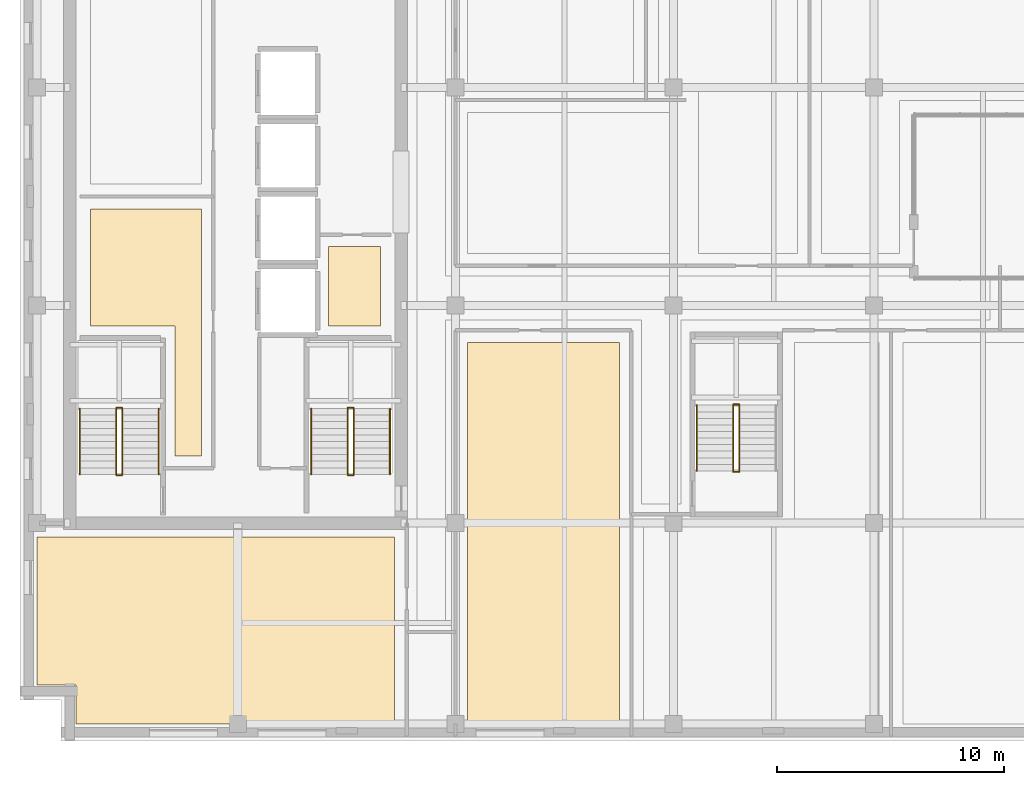
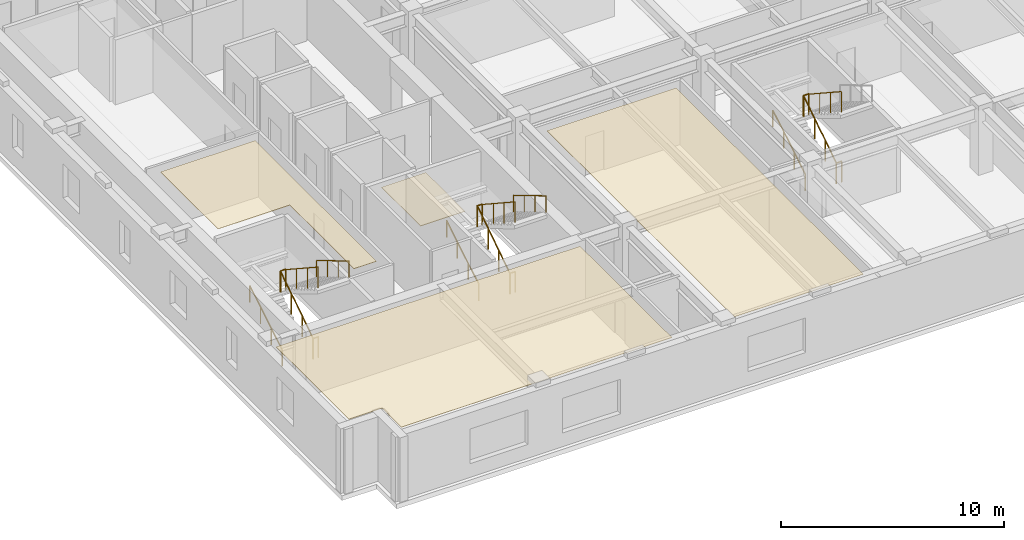
# One storey, part 10 of 13: 17 railings, 4 coverings.
"""IFC4 building model written with IfcOpenShell, lengths in metres."""

import ifcopenshell
import ifcopenshell.guid

model = None  # the IFC model being written
_history = None  # IfcOwnerHistory: only IFC2X3 demands one
_inside = {}  # id of a spatial element -> (the spatial element, [elements in it])
_under = {}  # id of a project, library or spatial element -> (it, [spatial elements below it])
_declared = {}  # id of a project -> (the project, [libraries it declares])
_typed = {}  # id of a type object -> (the type object, [elements of that type])
_made_of = {}  # id of a material, layer set ... -> (it, [elements and type objects made of it])


def new_model(schema):
    """Start an empty IFC model of exactly this schema.

    Asked for "IFC4X3", IfcOpenShell would pick the latest addendum, in which some entities
    have other attributes; the version numbers below select the first issue.
    IFC2X3 requires an IfcOwnerHistory on every rooted entity: one is made here for all.
    """
    global model, _history
    if schema == "IFC4X3":
        model = ifcopenshell.file(schema_version=(4, 3, 0, 0))
    else:
        model = ifcopenshell.file(schema=schema)
    _inside.clear()
    _under.clear()
    _declared.clear()
    _typed.clear()
    _made_of.clear()
    _history = None
    if model.schema == "IFC2X3":
        org = make("IfcOrganization", Name="unknown")
        user = make(
            "IfcPersonAndOrganization",
            ThePerson=make("IfcPerson", FamilyName="unknown"),
            TheOrganization=org,
        )
        app = make(
            "IfcApplication",
            ApplicationDeveloper=org,
            Version="unknown",
            ApplicationFullName="unknown",
            ApplicationIdentifier="unknown",
        )
        _history = make(
            "IfcOwnerHistory",
            OwningUser=user,
            OwningApplication=app,
            ChangeAction="ADDED",
            CreationDate=0,
        )
    return model


def make(cls, **values):
    """One entity of the class cls with the attributes given. An attribute that is None is left unset."""
    return model.create_entity(
        cls, **{name: value for name, value in values.items() if value is not None}
    )


def rooted(cls, **values):
    """An entity with a GlobalId (a new one), such as an element, a storey or a relation."""
    return make(cls, GlobalId=ifcopenshell.guid.new(), OwnerHistory=_history, **values)


def si_unit(unit_type, name, prefix=None):
    """IfcSIUnit, for example si_unit("LENGTHUNIT", "METRE", prefix="MILLI")."""
    return make("IfcSIUnit", UnitType=unit_type, Prefix=prefix, Name=name)


def assignment(units):
    """IfcUnitAssignment: the units of a project."""
    return None if units is None else make("IfcUnitAssignment", Units=units)


def point(xyz):
    """IfcCartesianPoint."""
    return None if xyz is None else make("IfcCartesianPoint", Coordinates=xyz)


def direction(xyz):
    """IfcDirection."""
    return None if xyz is None else make("IfcDirection", DirectionRatios=xyz)


def frame(location, z_axis=None, x_axis=None):
    """IfcAxis2Placement3D, a coordinate frame: its origin and axes. An axis left out is left unset."""
    return make(
        "IfcAxis2Placement3D",
        Location=point(location),
        Axis=direction(z_axis),
        RefDirection=direction(x_axis),
    )


def frame_2d(location, x_axis=None):
    """IfcAxis2Placement2D, a coordinate frame in the plane: its origin and x axis."""
    return make(
        "IfcAxis2Placement2D", Location=point(location), RefDirection=direction(x_axis)
    )


def origin():
    """The frame at (0, 0, 0) with its axes left unset."""
    return frame((0.0, 0.0, 0.0))


def origin_2d():
    """The frame at (0, 0) in the plane with its x axis left unset."""
    return frame_2d((0.0, 0.0))


def place(relative_to, where):
    """IfcLocalPlacement: puts the frame where relative to a parent placement (None: the world)."""
    return make(
        "IfcLocalPlacement", PlacementRelTo=relative_to, RelativePlacement=where
    )


def context(
    kind, dimensions, precision=None, world=None, true_north=None, identifier=None
):
    """IfcGeometricRepresentationContext, for example the 3D "Model" context."""
    return make(
        "IfcGeometricRepresentationContext",
        ContextIdentifier=identifier,
        ContextType=kind,
        CoordinateSpaceDimension=dimensions,
        Precision=precision,
        WorldCoordinateSystem=world,
        TrueNorth=true_north,
    )


def subcontext(parent, identifier, kind, view, scale=None):
    """IfcGeometricRepresentationSubContext, for example "Body" below "Model"."""
    return make(
        "IfcGeometricRepresentationSubContext",
        ContextIdentifier=identifier,
        ContextType=kind,
        ParentContext=parent,
        TargetScale=scale,
        TargetView=view,
    )


def project(units=None, contexts=None):
    """IfcProject with its units and contexts."""
    return rooted(
        "IfcProject",
        Name="project",
        RepresentationContexts=contexts,
        UnitsInContext=assignment(units),
    )


def spatial(cls, under=None, at=None, **own):
    """A site, building, storey or space (cls), placed at a placement, below another one or the project."""
    s = rooted(cls, ObjectPlacement=at, **own)
    if under is not None:
        _under.setdefault(under.id(), (under, []))[1].append(s)
    return s


def polyline(points):
    """IfcPolyline through the points."""
    return make("IfcPolyline", Points=[point(p) for p in points])


def profile(cls, at=None, kind="AREA", **sizes):
    """A parametric profile (cls). Its sizes go by their IFC names, for example OverallWidth=200.0."""
    return make(cls, ProfileType=kind, Position=at, **sizes)


def circle(**sizes):
    """IfcCircleProfileDef."""
    return profile("IfcCircleProfileDef", **sizes)


def outline(outer, holes=None, kind="AREA"):
    """IfcArbitraryClosedProfileDef: a profile drawn as a closed curve; with holes, ...WithVoids."""
    if holes is None:
        return make("IfcArbitraryClosedProfileDef", ProfileType=kind, OuterCurve=outer)
    return make(
        "IfcArbitraryProfileDefWithVoids",
        ProfileType=kind,
        OuterCurve=outer,
        InnerCurves=holes,
    )


def extrude(swept, where, along, depth):
    """IfcExtrudedAreaSolid: the profile swept, set in the frame where, extruded along a direction by depth."""
    return make(
        "IfcExtrudedAreaSolid",
        SweptArea=swept,
        Position=where,
        ExtrudedDirection=direction(along),
        Depth=depth,
    )


def shape(context_of_items, identifier, shape_type, items):
    """IfcShapeRepresentation: the items that make up one representation, for example the "Body"."""
    return make(
        "IfcShapeRepresentation",
        ContextOfItems=context_of_items,
        RepresentationIdentifier=identifier,
        RepresentationType=shape_type,
        Items=items,
    )


def material(Name=None, Category=None):
    """IfcMaterial."""
    return make("IfcMaterial", Name=Name, Category=Category)


def layer(
    of_material, thickness, ventilated=None, Name=None, Category=None, Priority=None
):
    """IfcMaterialLayer: one layer of a wall or slab, of a material (None: an air gap)."""
    return make(
        "IfcMaterialLayer",
        Material=of_material,
        LayerThickness=thickness,
        IsVentilated=ventilated,
        Name=Name,
        Category=Category,
        Priority=Priority,
    )


def layer_set(layers, Name=None):
    """IfcMaterialLayerSet."""
    return make("IfcMaterialLayerSet", MaterialLayers=layers, LayerSetName=Name)


def made_of(thing, what):
    """Note that an element or type object is made of a material, layer set ...; save() writes the relation."""
    if what is not None:
        _made_of.setdefault(what.id(), (what, []))[1].append(thing)
    return thing


def type_object(cls, material=None, **own):
    """A type object (cls), such as IfcWallType, which elements share."""
    return made_of(rooted(cls, **own), material)


def element(
    cls,
    number,
    at=None,
    inside=None,
    cuts=None,
    type_object=None,
    material=None,
    context=None,
    identifier="Body",
    shape_type=None,
    held_by="IfcProductDefinitionShape",
    body=None,
    shapes=None,
    **own,
):
    """One element of the class cls, such as IfcWall. Its Tag is "e" and its number.

    at: its placement. inside: the storey or other place that contains it. cuts: it is an
    opening in that element (IfcRelVoidsElement). A single representation is given by context,
    identifier, shape_type and body (its items); several are given by shapes. held_by: the class
    of the entity that holds the representations. save() writes the other relations.
    """
    e = rooted(cls, Tag="e%d" % number, ObjectPlacement=at, **own)
    if body is not None:
        shapes = [shape(context, identifier, shape_type, body)]
    if shapes is not None:
        e.Representation = make(held_by, Representations=shapes)
    if inside is not None:
        _inside.setdefault(inside.id(), (inside, []))[1].append(e)
    if cuts is not None:
        rooted(
            "IfcRelVoidsElement", RelatingBuildingElement=cuts, RelatedOpeningElement=e
        )
    if type_object is not None:
        _typed.setdefault(type_object.id(), (type_object, []))[1].append(e)
    return made_of(e, material)


def aggregate(whole, parts):
    """IfcRelAggregates: a whole, such as a stair, and the parts it consists of."""
    return rooted("IfcRelAggregates", RelatingObject=whole, RelatedObjects=parts)


def save(model, path):
    """Write the relations noted so far, then the file.

    IfcRelAggregates (storeys below a building ...), IfcRelContainedInSpatialStructure (elements
    in a storey), IfcRelDefinesByType, IfcRelAssociatesMaterial and IfcRelDeclares: one each for
    every whole, place, type object, material and project.
    """
    for whole, parts in _under.values():
        aggregate(whole, parts)
    for where, things in _inside.values():
        rooted(
            "IfcRelContainedInSpatialStructure",
            RelatedElements=things,
            RelatingStructure=where,
        )
    for kind, things in _typed.values():
        rooted("IfcRelDefinesByType", RelatedObjects=things, RelatingType=kind)
    for what, things in _made_of.values():
        rooted("IfcRelAssociatesMaterial", RelatedObjects=things, RelatingMaterial=what)
    for by, libraries in _declared.values():
        rooted("IfcRelDeclares", RelatingContext=by, RelatedDefinitions=libraries)
    model.write(path)


model = new_model("IFC4")

# Units and contexts
model_context = context("Model", 3, precision=1e-05, world=origin(), true_north=direction((0.0, 1.0)))
body_context = subcontext(model_context, "Body", "Model", "MODEL_VIEW")
ifc_project = project(units=[si_unit("LENGTHUNIT", "METRE"), si_unit("AREAUNIT", "SQUARE_METRE"), si_unit("VOLUMEUNIT", "CUBIC_METRE"), si_unit("PLANEANGLEUNIT", "RADIAN"), si_unit("MASSUNIT", "GRAM", prefix="KILO")], contexts=[model_context])

# Site, building, storey
site_placement = place(None, origin())
site = spatial("IfcSite", under=ifc_project, at=site_placement, CompositionType="ELEMENT")
building_placement = place(site_placement, origin())
building = spatial("IfcBuilding", under=site, at=building_placement, Name="Norrvale University Quadrangle", CompositionType="ELEMENT")
storey_placement = place(building_placement, frame((0.0, 0.0, 277.199951171875)))
storey = spatial("IfcBuildingStorey", under=building, at=storey_placement, Name="L70", CompositionType="ELEMENT", Elevation=277.199951171875)

# Coverings
ifc_material_1 = material(Name="Perforated Acoustic Mineral Ceiling")
ifc_layer_1 = layer(ifc_material_1, 0.02490234375, Name="Perforated Acoustic Mineral Ceiling")
ifc_layer_set_1 = layer_set([ifc_layer_1], Name="Perforated Acoustic Mineral Ceiling")
covering_type_1 = type_object("IfcCoveringType", Name="Covering Acoustic Ceiling 25", PredefinedType="CEILING", material=ifc_layer_set_1)
covering_1_placement = place(storey_placement, frame((0.0, 0.0, 3.51513671875)))
element("IfcCovering", 1, at=covering_1_placement, inside=storey, type_object=covering_type_1, Name="Acoustic Ceiling RM-L70-REC1", PredefinedType="CEILING", context=body_context, shape_type="SweptSolid", body=[
    extrude(outline(polyline([(3.10009765625, 18.300048828125), (3.10009765625, 23.449951171875), (8.0, 23.449951171875), (8.0, 12.550048828125), (6.830078125, 12.550048828125), (6.830078125, 18.300048828125), (3.10009765625, 18.300048828125)])), origin(), (0.0, 0.0, 1.0), 0.02490234375),
])
covering_2_placement = place(storey_placement, frame((0.0, 0.0, 3.51513671875)))
element("IfcCovering", 2, at=covering_2_placement, inside=storey, type_object=covering_type_1, Name="Acoustic Ceiling RM-L70-SW1", PredefinedType="CEILING", context=body_context, shape_type="SweptSolid", body=[
    extrude(outline(polyline([(16.5, 9.0), (16.5, 0.75), (2.469970703125, 0.75), (2.469970703125, 2.469970703125), (0.75, 2.469970703125), (0.75, 9.0), (16.5, 9.0)])), origin(), (0.0, 0.0, 1.0), 0.02490234375),
])
covering_3_placement = place(storey_placement, frame((0.0, 0.0, 3.51513671875)))
element("IfcCovering", 3, at=covering_3_placement, inside=storey, type_object=covering_type_1, Name="Acoustic Ceiling RM-L70-SE1", PredefinedType="CEILING", context=body_context, shape_type="SweptSolid", body=[
    extrude(outline(polyline([(26.419921875, 17.570068359375), (26.419921875, 0.75), (19.72998046875, 0.75), (19.72998046875, 17.570068359375), (26.419921875, 17.570068359375)])), origin(), (0.0, 0.0, 1.0), 0.02490234375),
])
ifc_material_2 = material(Name="Polished Terrazzo Flooring")
ifc_layer_2 = layer(ifc_material_2, 0.02490234375, Name="Polished Terrazzo Flooring")
ifc_layer_set_2 = layer_set([ifc_layer_2], Name="Polished Terrazzo Flooring")
covering_type_2 = type_object("IfcCoveringType", Name="Covering Terrazzo Floor 30", PredefinedType="FLOORING", material=ifc_layer_set_2)
covering_4_placement = place(storey_placement, origin())
element("IfcCovering", 4, at=covering_4_placement, inside=storey, type_object=covering_type_2, Name="Terrazzo Flooring RM-L70-JAN", PredefinedType="FLOORING", context=body_context, shape_type="SweptSolid", body=[
    extrude(outline(polyline([(13.60009765625, 18.300048828125), (13.60009765625, 21.800048828125), (15.89990234375, 21.800048828125), (15.89990234375, 18.300048828125), (13.60009765625, 18.300048828125)])), origin(), (0.0, 0.0, 1.0), 0.025146484375),
])

# Railings
ifc_material_3 = material(Name="Steel 350W Painted Balustrade", Category="steel")
railing_type_1 = type_object("IfcRailingType", Name="Railing Stair Guard 1100", PredefinedType="GUARDRAIL", material=ifc_material_3)
for number, where, name in (
    (5, (4.239990234375, 11.719970703125, 0.0), "Stair Floor Well Guard ST-01 L70"),
    (6, (4.239990234375, 14.679931640625, 1.900146484375), "Stair Mid-Landing Slot Guard ST-01 L70"),
):
    element("IfcRailing", number, at=place(storey_placement, frame(where)), inside=storey, type_object=railing_type_1, Name=name, PredefinedType="GUARDRAIL", context=body_context, shape_type="SweptSolid", body=[
        extrude(circle(Radius=0.02392578125, at=origin_2d()), frame((0.0, 0.0, 1.1259765625), z_axis=(1.0, 0.0, 0.0), x_axis=(0.0, 1.0, 0.0)), (0.0, 0.0, 1.0), 0.27001953125),
        extrude(circle(Radius=0.02099609375, at=origin_2d()), origin(), (0.0, 0.0, 1.0), 1.101806640625),
        extrude(circle(Radius=0.02099609375, at=origin_2d()), frame((0.27001953125, 0.0, 0.0)), (0.0, 0.0, 1.0), 1.101806640625),
    ])
railing_1_placement = place(storey_placement, frame((4.239990234375, 11.75, 0.0)))
element("IfcRailing", 7, at=railing_1_placement, inside=storey, type_object=railing_type_1, Name="Stair Lower Flight Inner Guard ST-01 L70", PredefinedType="GUARDRAIL", context=body_context, shape_type="SweptSolid", body=[
    extrude(circle(Radius=0.02392578125, at=origin_2d()), frame((0.0, 0.0, 1.1259765625), z_axis=(0.0, 0.836433300813, 0.548068730445), x_axis=(-1.0, 0.0, 0.0)), (0.0, 0.0, 1.0), 3.467041015625),
    extrude(circle(Radius=0.02099609375, at=origin_2d()), origin(), (0.0, 0.0, 1.0), 1.101806640625),
    extrude(circle(Radius=0.02099609375, at=origin_2d()), frame((0.0, 0.966552734375, 0.63330078125)), (0.0, 0.0, 1.0), 1.101806640625),
    extrude(circle(Radius=0.02099609375, at=origin_2d()), frame((0.0, 1.933349609375, 1.266845703125)), (0.0, 0.0, 1.0), 1.101806640625),
    extrude(circle(Radius=0.02099609375, at=origin_2d()), frame((0.0, 2.89990234375, 1.900146484375)), (0.0, 0.0, 1.0), 1.101806640625),
])
railing_2_placement = place(storey_placement, frame((4.510009765625, 14.64990234375, 1.900146484375)))
element("IfcRailing", 8, at=railing_2_placement, inside=storey, type_object=railing_type_1, Name="Stair Upper Flight Inner Guard ST-01 L70", PredefinedType="GUARDRAIL", context=body_context, shape_type="SweptSolid", body=[
    extrude(circle(Radius=0.02392578125, at=origin_2d()), frame((0.0, 0.0, 1.1259765625), z_axis=(0.0, -0.836465582154, 0.548019461216), x_axis=(1.0, 0.0, 0.0)), (0.0, 0.0, 1.0), 3.466796875),
    extrude(circle(Radius=0.02099609375, at=origin_2d()), origin(), (0.0, 0.0, 1.0), 1.101806640625),
    extrude(circle(Radius=0.02099609375, at=origin_2d()), frame((0.0, -0.966552734375, 0.63330078125)), (0.0, 0.0, 1.0), 1.101806640625),
    extrude(circle(Radius=0.02099609375, at=origin_2d()), frame((0.0, -1.933349609375, 1.2666015625)), (0.0, 0.0, 1.0), 1.101806640625),
    extrude(circle(Radius=0.02099609375, at=origin_2d()), frame((0.0, -2.89990234375, 1.89990234375)), (0.0, 0.0, 1.0), 1.101806640625),
])
for number, where, name in (
    (9, (14.43994140625, 11.719970703125, 0.0), "Stair Floor Well Guard ST-03 L70"),
    (10, (14.43994140625, 14.679931640625, 1.900146484375), "Stair Mid-Landing Slot Guard ST-03 L70"),
):
    element("IfcRailing", number, at=place(storey_placement, frame(where)), inside=storey, type_object=railing_type_1, Name=name, PredefinedType="GUARDRAIL", context=body_context, shape_type="SweptSolid", body=[
        extrude(circle(Radius=0.02392578125, at=origin_2d()), frame((0.0, 0.0, 1.1259765625), z_axis=(1.0, 0.0, 0.0), x_axis=(0.0, 1.0, 0.0)), (0.0, 0.0, 1.0), 0.27001953125),
        extrude(circle(Radius=0.02099609375, at=origin_2d()), origin(), (0.0, 0.0, 1.0), 1.101806640625),
        extrude(circle(Radius=0.02099609375, at=origin_2d()), frame((0.27001953125, 0.0, 0.0)), (0.0, 0.0, 1.0), 1.101806640625),
    ])
railing_3_placement = place(storey_placement, frame((14.43994140625, 11.75, 0.0)))
element("IfcRailing", 11, at=railing_3_placement, inside=storey, type_object=railing_type_1, Name="Stair Lower Flight Inner Guard ST-03 L70", PredefinedType="GUARDRAIL", context=body_context, shape_type="SweptSolid", body=[
    extrude(circle(Radius=0.02392578125, at=origin_2d()), frame((0.0, 0.0, 1.1259765625), z_axis=(0.0, 0.836433300813, 0.548068730445), x_axis=(-1.0, 0.0, 0.0)), (0.0, 0.0, 1.0), 3.467041015625),
    extrude(circle(Radius=0.02099609375, at=origin_2d()), origin(), (0.0, 0.0, 1.0), 1.101806640625),
    extrude(circle(Radius=0.02099609375, at=origin_2d()), frame((0.0, 0.966552734375, 0.63330078125)), (0.0, 0.0, 1.0), 1.101806640625),
    extrude(circle(Radius=0.02099609375, at=origin_2d()), frame((0.0, 1.933349609375, 1.266845703125)), (0.0, 0.0, 1.0), 1.101806640625),
    extrude(circle(Radius=0.02099609375, at=origin_2d()), frame((0.0, 2.89990234375, 1.900146484375)), (0.0, 0.0, 1.0), 1.101806640625),
])
railing_4_placement = place(storey_placement, frame((14.7099609375, 14.64990234375, 1.900146484375)))
element("IfcRailing", 12, at=railing_4_placement, inside=storey, type_object=railing_type_1, Name="Stair Upper Flight Inner Guard ST-03 L70", PredefinedType="GUARDRAIL", context=body_context, shape_type="SweptSolid", body=[
    extrude(circle(Radius=0.02392578125, at=origin_2d()), frame((0.0, 0.0, 1.1259765625), z_axis=(0.0, -0.836465582154, 0.548019461216), x_axis=(1.0, 0.0, 0.0)), (0.0, 0.0, 1.0), 3.466796875),
    extrude(circle(Radius=0.02099609375, at=origin_2d()), origin(), (0.0, 0.0, 1.0), 1.101806640625),
    extrude(circle(Radius=0.02099609375, at=origin_2d()), frame((0.0, -0.966552734375, 0.63330078125)), (0.0, 0.0, 1.0), 1.101806640625),
    extrude(circle(Radius=0.02099609375, at=origin_2d()), frame((0.0, -1.933349609375, 1.2666015625)), (0.0, 0.0, 1.0), 1.101806640625),
    extrude(circle(Radius=0.02099609375, at=origin_2d()), frame((0.0, -2.89990234375, 1.89990234375)), (0.0, 0.0, 1.0), 1.101806640625),
])
for number, where, name in (
    (13, (31.43994140625, 11.8701171875, 0.0), "Stair Floor Well Guard ST-04 L70"),
    (14, (31.43994140625, 14.830078125, 1.900146484375), "Stair Mid-Landing Slot Guard ST-04 L70"),
):
    element("IfcRailing", number, at=place(storey_placement, frame(where)), inside=storey, type_object=railing_type_1, Name=name, PredefinedType="GUARDRAIL", context=body_context, shape_type="SweptSolid", body=[
        extrude(circle(Radius=0.02392578125, at=origin_2d()), frame((0.0, 0.0, 1.1259765625), z_axis=(1.0, 0.0, 0.0), x_axis=(0.0, 1.0, 0.0)), (0.0, 0.0, 1.0), 0.27001953125),
        extrude(circle(Radius=0.02099609375, at=origin_2d()), origin(), (0.0, 0.0, 1.0), 1.101806640625),
        extrude(circle(Radius=0.02099609375, at=origin_2d()), frame((0.27001953125, 0.0, 0.0)), (0.0, 0.0, 1.0), 1.101806640625),
    ])
railing_5_placement = place(storey_placement, frame((31.43994140625, 11.89990234375, 0.0)))
element("IfcRailing", 15, at=railing_5_placement, inside=storey, type_object=railing_type_1, Name="Stair Lower Flight Inner Guard ST-04 L70", PredefinedType="GUARDRAIL", context=body_context, shape_type="SweptSolid", body=[
    extrude(circle(Radius=0.02392578125, at=origin_2d()), frame((0.0, 0.0, 1.1259765625), z_axis=(0.0, 0.836454451266, 0.548036450392), x_axis=(-1.0, 0.0, 0.0)), (0.0, 0.0, 1.0), 3.46728515625),
    extrude(circle(Radius=0.02099609375, at=origin_2d()), origin(), (0.0, 0.0, 1.0), 1.101806640625),
    extrude(circle(Radius=0.02099609375, at=origin_2d()), frame((0.0, 0.966796875, 0.63330078125)), (0.0, 0.0, 1.0), 1.101806640625),
    extrude(circle(Radius=0.02099609375, at=origin_2d()), frame((0.0, 1.933349609375, 1.266845703125)), (0.0, 0.0, 1.0), 1.101806640625),
    extrude(circle(Radius=0.02099609375, at=origin_2d()), frame((0.0, 2.900146484375, 1.900146484375)), (0.0, 0.0, 1.0), 1.101806640625),
])
railing_6_placement = place(storey_placement, frame((31.7099609375, 14.800048828125, 1.900146484375)))
element("IfcRailing", 16, at=railing_6_placement, inside=storey, type_object=railing_type_1, Name="Stair Upper Flight Inner Guard ST-04 L70", PredefinedType="GUARDRAIL", context=body_context, shape_type="SweptSolid", body=[
    extrude(circle(Radius=0.02392578125, at=origin_2d()), frame((0.0, 0.0, 1.1259765625), z_axis=(0.0, -0.836486729621, 0.547987181573), x_axis=(1.0, 0.0, 0.0)), (0.0, 0.0, 1.0), 3.467041015625),
    extrude(circle(Radius=0.02099609375, at=origin_2d()), origin(), (0.0, 0.0, 1.0), 1.101806640625),
    extrude(circle(Radius=0.02099609375, at=origin_2d()), frame((0.0, -0.966796875, 0.63330078125)), (0.0, 0.0, 1.0), 1.101806640625),
    extrude(circle(Radius=0.02099609375, at=origin_2d()), frame((0.0, -1.933349609375, 1.2666015625)), (0.0, 0.0, 1.0), 1.101806640625),
    extrude(circle(Radius=0.02099609375, at=origin_2d()), frame((0.0, -2.900146484375, 1.89990234375)), (0.0, 0.0, 1.0), 1.101806640625),
])
ifc_material_4 = material(Name="Stainless Steel 316L Handrail", Category="steel")
railing_type_2 = type_object("IfcRailingType", Name="Railing Stair Handrail 920", PredefinedType="HANDRAIL", material=ifc_material_4)
railing_7_placement = place(storey_placement, frame((2.639892578125, 11.75, 0.1728515625)))
element("IfcRailing", 17, at=railing_7_placement, inside=storey, type_object=railing_type_2, Name="Stair Lower Flight Handrail ST-01 L70", PredefinedType="HANDRAIL", context=body_context, shape_type="SweptSolid", body=[
    extrude(circle(Radius=0.02392578125, at=origin_2d()), frame((0.0, 0.0, 0.89599609375), z_axis=(0.0, 0.859141464434, 0.511738159696), x_axis=(-1.0, 0.0, 0.0)), (0.0, 0.0, 1.0), 3.375244140625),
    extrude(circle(Radius=0.02099609375, at=origin_2d()), origin(), (0.0, 0.0, 1.0), 0.871826171875),
    extrude(circle(Radius=0.02099609375, at=origin_2d()), frame((0.0, 0.966552734375, 0.57568359375)), (0.0, 0.0, 1.0), 0.871826171875),
    extrude(circle(Radius=0.02099609375, at=origin_2d()), frame((0.0, 1.933349609375, 1.151611328125)), (0.0, 0.0, 1.0), 0.871826171875),
    extrude(circle(Radius=0.02099609375, at=origin_2d()), frame((0.0, 2.89990234375, 1.727294921875)), (0.0, 0.0, 1.0), 0.871826171875),
])
railing_8_placement = place(storey_placement, frame((6.110107421875, 14.64990234375, 2.07275390625)))
element("IfcRailing", 18, at=railing_8_placement, inside=storey, type_object=railing_type_2, Name="Stair Upper Flight Handrail ST-01 L70", PredefinedType="HANDRAIL", context=body_context, shape_type="SweptSolid", body=[
    extrude(circle(Radius=0.02392578125, at=origin_2d()), frame((0.0, 0.0, 0.89599609375), z_axis=(0.0, -0.859141464434, 0.511738159696), x_axis=(1.0, 0.0, 0.0)), (0.0, 0.0, 1.0), 3.375244140625),
    extrude(circle(Radius=0.02099609375, at=origin_2d()), origin(), (0.0, 0.0, 1.0), 0.871826171875),
    extrude(circle(Radius=0.02099609375, at=origin_2d()), frame((0.0, -0.966552734375, 0.57568359375)), (0.0, 0.0, 1.0), 0.871826171875),
    extrude(circle(Radius=0.02099609375, at=origin_2d()), frame((0.0, -1.933349609375, 1.151611328125)), (0.0, 0.0, 1.0), 0.871826171875),
    extrude(circle(Radius=0.02099609375, at=origin_2d()), frame((0.0, -2.89990234375, 1.727294921875)), (0.0, 0.0, 1.0), 0.871826171875),
])
railing_9_placement = place(storey_placement, frame((12.840087890625, 11.75, 0.1728515625)))
element("IfcRailing", 19, at=railing_9_placement, inside=storey, type_object=railing_type_2, Name="Stair Lower Flight Handrail ST-03 L70", PredefinedType="HANDRAIL", context=body_context, shape_type="SweptSolid", body=[
    extrude(circle(Radius=0.02392578125, at=origin_2d()), frame((0.0, 0.0, 0.89599609375), z_axis=(0.0, 0.859141464434, 0.511738159696), x_axis=(-1.0, 0.0, 0.0)), (0.0, 0.0, 1.0), 3.375244140625),
    extrude(circle(Radius=0.02099609375, at=origin_2d()), origin(), (0.0, 0.0, 1.0), 0.871826171875),
    extrude(circle(Radius=0.02099609375, at=origin_2d()), frame((0.0, 0.966552734375, 0.57568359375)), (0.0, 0.0, 1.0), 0.871826171875),
    extrude(circle(Radius=0.02099609375, at=origin_2d()), frame((0.0, 1.933349609375, 1.151611328125)), (0.0, 0.0, 1.0), 0.871826171875),
    extrude(circle(Radius=0.02099609375, at=origin_2d()), frame((0.0, 2.89990234375, 1.727294921875)), (0.0, 0.0, 1.0), 0.871826171875),
])
railing_10_placement = place(storey_placement, frame((16.31005859375, 14.64990234375, 2.07275390625)))
element("IfcRailing", 20, at=railing_10_placement, inside=storey, type_object=railing_type_2, Name="Stair Upper Flight Handrail ST-03 L70", PredefinedType="HANDRAIL", context=body_context, shape_type="SweptSolid", body=[
    extrude(circle(Radius=0.02392578125, at=origin_2d()), frame((0.0, 0.0, 0.89599609375), z_axis=(0.0, -0.859141464434, 0.511738159696), x_axis=(1.0, 0.0, 0.0)), (0.0, 0.0, 1.0), 3.375244140625),
    extrude(circle(Radius=0.02099609375, at=origin_2d()), origin(), (0.0, 0.0, 1.0), 0.871826171875),
    extrude(circle(Radius=0.02099609375, at=origin_2d()), frame((0.0, -0.966552734375, 0.57568359375)), (0.0, 0.0, 1.0), 0.871826171875),
    extrude(circle(Radius=0.02099609375, at=origin_2d()), frame((0.0, -1.933349609375, 1.151611328125)), (0.0, 0.0, 1.0), 0.871826171875),
    extrude(circle(Radius=0.02099609375, at=origin_2d()), frame((0.0, -2.89990234375, 1.727294921875)), (0.0, 0.0, 1.0), 0.871826171875),
])
railing_11_placement = place(storey_placement, frame((29.840087890625, 11.89990234375, 0.1728515625)))
element("IfcRailing", 21, at=railing_11_placement, inside=storey, type_object=railing_type_2, Name="Stair Lower Flight Handrail ST-04 L70", PredefinedType="HANDRAIL", context=body_context, shape_type="SweptSolid", body=[
    extrude(circle(Radius=0.02392578125, at=origin_2d()), frame((0.0, 0.0, 0.89599609375), z_axis=(0.0, 0.859160404282, 0.51170636083), x_axis=(-1.0, 0.0, 0.0)), (0.0, 0.0, 1.0), 3.37548828125),
    extrude(circle(Radius=0.02099609375, at=origin_2d()), origin(), (0.0, 0.0, 1.0), 0.871826171875),
    extrude(circle(Radius=0.02099609375, at=origin_2d()), frame((0.0, 0.966796875, 0.57568359375)), (0.0, 0.0, 1.0), 0.871826171875),
    extrude(circle(Radius=0.02099609375, at=origin_2d()), frame((0.0, 1.933349609375, 1.151611328125)), (0.0, 0.0, 1.0), 0.871826171875),
    extrude(circle(Radius=0.02099609375, at=origin_2d()), frame((0.0, 2.900146484375, 1.727294921875)), (0.0, 0.0, 1.0), 0.871826171875),
])

save(model, "model.ifc")
